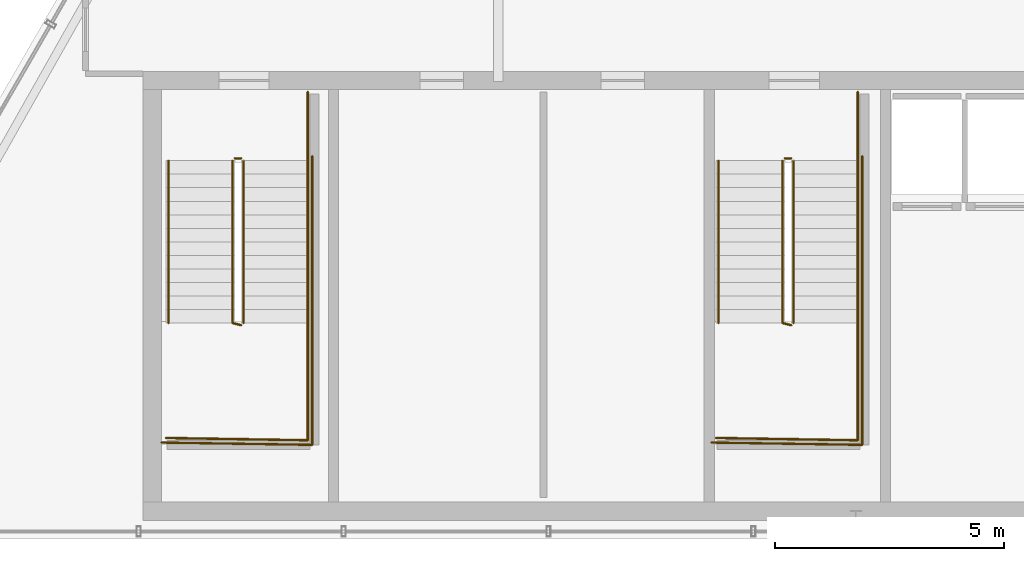
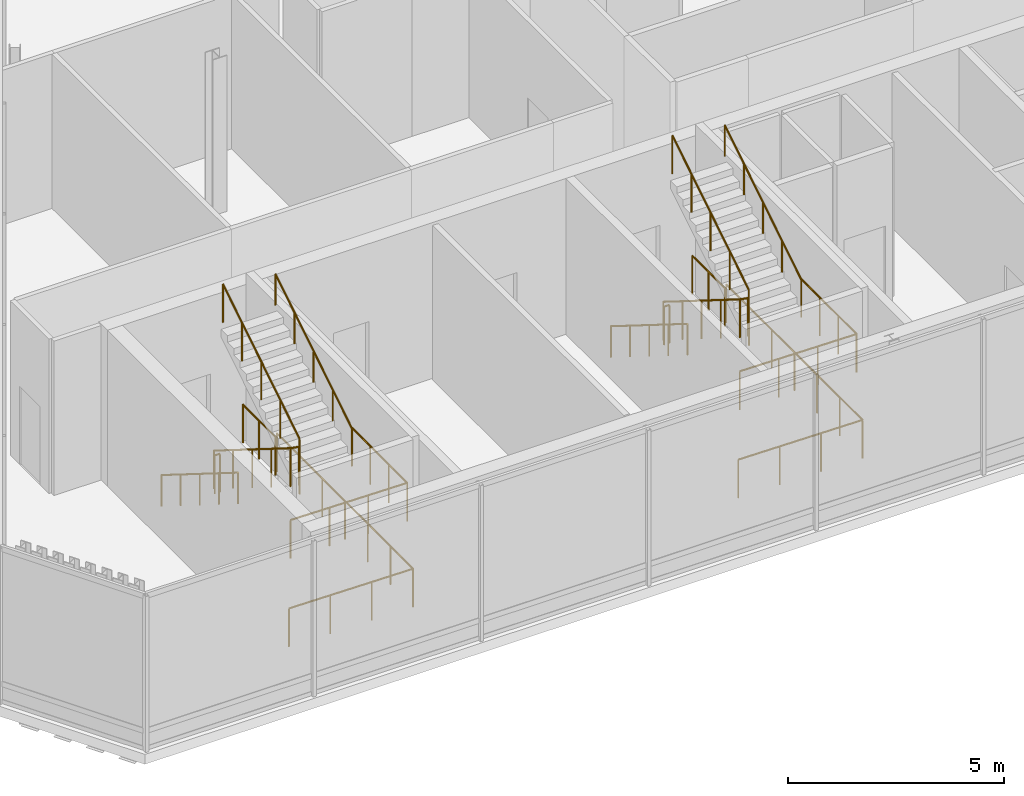
# One storey, part 23 of 25: 16 railings.
"""IFC4 building model written with IfcOpenShell, lengths in metres."""

import ifcopenshell
import ifcopenshell.guid

model = None  # the IFC model being written
_history = None  # IfcOwnerHistory: only IFC2X3 demands one
_inside = {}  # id of a spatial element -> (the spatial element, [elements in it])
_under = {}  # id of a project, library or spatial element -> (it, [spatial elements below it])
_declared = {}  # id of a project -> (the project, [libraries it declares])
_typed = {}  # id of a type object -> (the type object, [elements of that type])
_made_of = {}  # id of a material, layer set ... -> (it, [elements and type objects made of it])


def new_model(schema):
    """Start an empty IFC model of exactly this schema.

    Asked for "IFC4X3", IfcOpenShell would pick the latest addendum, in which some entities
    have other attributes; the version numbers below select the first issue.
    IFC2X3 requires an IfcOwnerHistory on every rooted entity: one is made here for all.
    """
    global model, _history
    if schema == "IFC4X3":
        model = ifcopenshell.file(schema_version=(4, 3, 0, 0))
    else:
        model = ifcopenshell.file(schema=schema)
    _inside.clear()
    _under.clear()
    _declared.clear()
    _typed.clear()
    _made_of.clear()
    _history = None
    if model.schema == "IFC2X3":
        org = make("IfcOrganization", Name="unknown")
        user = make(
            "IfcPersonAndOrganization",
            ThePerson=make("IfcPerson", FamilyName="unknown"),
            TheOrganization=org,
        )
        app = make(
            "IfcApplication",
            ApplicationDeveloper=org,
            Version="unknown",
            ApplicationFullName="unknown",
            ApplicationIdentifier="unknown",
        )
        _history = make(
            "IfcOwnerHistory",
            OwningUser=user,
            OwningApplication=app,
            ChangeAction="ADDED",
            CreationDate=0,
        )
    return model


def make(cls, **values):
    """One entity of the class cls with the attributes given. An attribute that is None is left unset."""
    return model.create_entity(
        cls, **{name: value for name, value in values.items() if value is not None}
    )


def rooted(cls, **values):
    """An entity with a GlobalId (a new one), such as an element, a storey or a relation."""
    return make(cls, GlobalId=ifcopenshell.guid.new(), OwnerHistory=_history, **values)


def si_unit(unit_type, name, prefix=None):
    """IfcSIUnit, for example si_unit("LENGTHUNIT", "METRE", prefix="MILLI")."""
    return make("IfcSIUnit", UnitType=unit_type, Prefix=prefix, Name=name)


def assignment(units):
    """IfcUnitAssignment: the units of a project."""
    return None if units is None else make("IfcUnitAssignment", Units=units)


def point(xyz):
    """IfcCartesianPoint."""
    return None if xyz is None else make("IfcCartesianPoint", Coordinates=xyz)


def direction(xyz):
    """IfcDirection."""
    return None if xyz is None else make("IfcDirection", DirectionRatios=xyz)


def frame(location, z_axis=None, x_axis=None):
    """IfcAxis2Placement3D, a coordinate frame: its origin and axes. An axis left out is left unset."""
    return make(
        "IfcAxis2Placement3D",
        Location=point(location),
        Axis=direction(z_axis),
        RefDirection=direction(x_axis),
    )


def frame_2d(location, x_axis=None):
    """IfcAxis2Placement2D, a coordinate frame in the plane: its origin and x axis."""
    return make(
        "IfcAxis2Placement2D", Location=point(location), RefDirection=direction(x_axis)
    )


def origin():
    """The frame at (0, 0, 0) with its axes left unset."""
    return frame((0.0, 0.0, 0.0))


def origin_2d():
    """The frame at (0, 0) in the plane with its x axis left unset."""
    return frame_2d((0.0, 0.0))


def place(relative_to, where):
    """IfcLocalPlacement: puts the frame where relative to a parent placement (None: the world)."""
    return make(
        "IfcLocalPlacement", PlacementRelTo=relative_to, RelativePlacement=where
    )


def context(
    kind, dimensions, precision=None, world=None, true_north=None, identifier=None
):
    """IfcGeometricRepresentationContext, for example the 3D "Model" context."""
    return make(
        "IfcGeometricRepresentationContext",
        ContextIdentifier=identifier,
        ContextType=kind,
        CoordinateSpaceDimension=dimensions,
        Precision=precision,
        WorldCoordinateSystem=world,
        TrueNorth=true_north,
    )


def subcontext(parent, identifier, kind, view, scale=None):
    """IfcGeometricRepresentationSubContext, for example "Body" below "Model"."""
    return make(
        "IfcGeometricRepresentationSubContext",
        ContextIdentifier=identifier,
        ContextType=kind,
        ParentContext=parent,
        TargetScale=scale,
        TargetView=view,
    )


def project(units=None, contexts=None):
    """IfcProject with its units and contexts."""
    return rooted(
        "IfcProject",
        Name="project",
        RepresentationContexts=contexts,
        UnitsInContext=assignment(units),
    )


def spatial(cls, under=None, at=None, **own):
    """A site, building, storey or space (cls), placed at a placement, below another one or the project."""
    s = rooted(cls, ObjectPlacement=at, **own)
    if under is not None:
        _under.setdefault(under.id(), (under, []))[1].append(s)
    return s


def profile(cls, at=None, kind="AREA", **sizes):
    """A parametric profile (cls). Its sizes go by their IFC names, for example OverallWidth=200.0."""
    return make(cls, ProfileType=kind, Position=at, **sizes)


def circle(**sizes):
    """IfcCircleProfileDef."""
    return profile("IfcCircleProfileDef", **sizes)


def extrude(swept, where, along, depth):
    """IfcExtrudedAreaSolid: the profile swept, set in the frame where, extruded along a direction by depth."""
    return make(
        "IfcExtrudedAreaSolid",
        SweptArea=swept,
        Position=where,
        ExtrudedDirection=direction(along),
        Depth=depth,
    )


def shape(context_of_items, identifier, shape_type, items):
    """IfcShapeRepresentation: the items that make up one representation, for example the "Body"."""
    return make(
        "IfcShapeRepresentation",
        ContextOfItems=context_of_items,
        RepresentationIdentifier=identifier,
        RepresentationType=shape_type,
        Items=items,
    )


def material(Name=None, Category=None):
    """IfcMaterial."""
    return make("IfcMaterial", Name=Name, Category=Category)


def layer(
    of_material, thickness, ventilated=None, Name=None, Category=None, Priority=None
):
    """IfcMaterialLayer: one layer of a wall or slab, of a material (None: an air gap)."""
    return make(
        "IfcMaterialLayer",
        Material=of_material,
        LayerThickness=thickness,
        IsVentilated=ventilated,
        Name=Name,
        Category=Category,
        Priority=Priority,
    )


def layer_set(layers, Name=None):
    """IfcMaterialLayerSet."""
    return make("IfcMaterialLayerSet", MaterialLayers=layers, LayerSetName=Name)


def made_of(thing, what):
    """Note that an element or type object is made of a material, layer set ...; save() writes the relation."""
    if what is not None:
        _made_of.setdefault(what.id(), (what, []))[1].append(thing)
    return thing


def type_object(cls, material=None, **own):
    """A type object (cls), such as IfcWallType, which elements share."""
    return made_of(rooted(cls, **own), material)


def element(
    cls,
    number,
    at=None,
    inside=None,
    cuts=None,
    type_object=None,
    material=None,
    context=None,
    identifier="Body",
    shape_type=None,
    held_by="IfcProductDefinitionShape",
    body=None,
    shapes=None,
    **own,
):
    """One element of the class cls, such as IfcWall. Its Tag is "e" and its number.

    at: its placement. inside: the storey or other place that contains it. cuts: it is an
    opening in that element (IfcRelVoidsElement). A single representation is given by context,
    identifier, shape_type and body (its items); several are given by shapes. held_by: the class
    of the entity that holds the representations. save() writes the other relations.
    """
    e = rooted(cls, Tag="e%d" % number, ObjectPlacement=at, **own)
    if body is not None:
        shapes = [shape(context, identifier, shape_type, body)]
    if shapes is not None:
        e.Representation = make(held_by, Representations=shapes)
    if inside is not None:
        _inside.setdefault(inside.id(), (inside, []))[1].append(e)
    if cuts is not None:
        rooted(
            "IfcRelVoidsElement", RelatingBuildingElement=cuts, RelatedOpeningElement=e
        )
    if type_object is not None:
        _typed.setdefault(type_object.id(), (type_object, []))[1].append(e)
    return made_of(e, material)


def aggregate(whole, parts):
    """IfcRelAggregates: a whole, such as a stair, and the parts it consists of."""
    return rooted("IfcRelAggregates", RelatingObject=whole, RelatedObjects=parts)


def save(model, path):
    """Write the relations noted so far, then the file.

    IfcRelAggregates (storeys below a building ...), IfcRelContainedInSpatialStructure (elements
    in a storey), IfcRelDefinesByType, IfcRelAssociatesMaterial and IfcRelDeclares: one each for
    every whole, place, type object, material and project.
    """
    for whole, parts in _under.values():
        aggregate(whole, parts)
    for where, things in _inside.values():
        rooted(
            "IfcRelContainedInSpatialStructure",
            RelatedElements=things,
            RelatingStructure=where,
        )
    for kind, things in _typed.values():
        rooted("IfcRelDefinesByType", RelatedObjects=things, RelatingType=kind)
    for what, things in _made_of.values():
        rooted("IfcRelAssociatesMaterial", RelatedObjects=things, RelatingMaterial=what)
    for by, libraries in _declared.values():
        rooted("IfcRelDeclares", RelatingContext=by, RelatedDefinitions=libraries)
    model.write(path)


model = new_model("IFC4")

# Units and contexts
model_context = context("Model", 3, precision=1e-05, world=origin(), true_north=direction((0.0, 1.0)))
body_context = subcontext(model_context, "Body", "Model", "MODEL_VIEW")
ifc_project = project(units=[si_unit("LENGTHUNIT", "METRE"), si_unit("AREAUNIT", "SQUARE_METRE"), si_unit("VOLUMEUNIT", "CUBIC_METRE"), si_unit("PLANEANGLEUNIT", "RADIAN"), si_unit("MASSUNIT", "GRAM", prefix="KILO")], contexts=[model_context])

# Site, building, storey
site_placement = place(None, origin())
site = spatial("IfcSite", under=ifc_project, at=site_placement, CompositionType="ELEMENT")
building_placement = place(site_placement, origin())
building = spatial("IfcBuilding", under=site, at=building_placement, Name="Ndaravel Arena Tower", CompositionType="ELEMENT")
storey_placement = place(building_placement, frame((0.0, 0.0, 303.300048828125)))
storey = spatial("IfcBuildingStorey", under=building, at=storey_placement, Name="L74", CompositionType="ELEMENT", Elevation=303.300048828125)

# Railings
ifc_material_1 = material(Name="Steel S355", Category="steel")
ifc_layer_1 = layer(ifc_material_1, 0.06005859375)
ifc_layer_set_1 = layer_set([ifc_layer_1], Name="Steel S355")
railing_type_1 = type_object("IfcRailingType", Name="RAIL-STAIR-GD1100", PredefinedType="GUARDRAIL", material=ifc_layer_set_1)
railing_1_placement = place(storey_placement, frame((28.39990234375, 13.25, 0.1845703125)))
element("IfcRailing", 1, at=railing_1_placement, inside=storey, type_object=railing_type_1, Name="L74 ST-1 stair guard 1", PredefinedType="GUARDRAIL", context=body_context, shape_type="SweptSolid", body=[
    extrude(circle(Radius=0.02392578125, at=origin_2d()), frame((0.0, 0.0, 1.076171875), z_axis=(0.0, -0.847696004112, 0.530482313194), x_axis=(1.0, 0.0, 0.0)), (0.0, 0.0, 1.0), 4.176025390625),
    extrude(circle(Radius=0.02392578125, at=origin_2d()), frame((0.0, -3.5400390625, 3.29150390625), z_axis=(0.967074537263, -0.25449329928, 0.0), x_axis=(0.25449329928, 0.967074537263, 0.0)), (0.0, 0.0, 1.0), 0.19677734375),
    extrude(circle(Radius=0.02099609375, at=origin_2d()), origin(), (0.0, 0.0, 1.0), 1.052001953125),
    extrude(circle(Radius=0.02099609375, at=origin_2d()), frame((0.0, -0.885009765625, 0.5537109375)), (0.0, 0.0, 1.0), 1.052001953125),
    extrude(circle(Radius=0.02099609375, at=origin_2d()), frame((0.0, -1.77001953125, 1.107666015625)), (0.0, 0.0, 1.0), 1.052001953125),
    extrude(circle(Radius=0.02099609375, at=origin_2d()), frame((0.0, -2.655029296875, 1.66162109375)), (0.0, 0.0, 1.0), 1.052001953125),
    extrude(circle(Radius=0.02099609375, at=origin_2d()), frame((0.0, -3.5400390625, 2.21533203125)), (0.0, 0.0, 1.0), 1.052001953125),
    extrude(circle(Radius=0.02099609375, at=origin_2d()), frame((0.190185546875, -3.590087890625, 2.21533203125)), (0.0, 0.0, 1.0), 1.052001953125),
])
railing_2_placement = place(storey_placement, frame((30.0400390625, 9.7099609375, 2.39990234375)))
element("IfcRailing", 2, at=railing_2_placement, inside=storey, type_object=railing_type_1, Name="L74 ST-1 stair guard 2", PredefinedType="GUARDRAIL", context=body_context, shape_type="SweptSolid", body=[
    extrude(circle(Radius=0.02392578125, at=origin_2d()), frame((0.0, 0.0, 1.076171875), z_axis=(0.0, -1.0, 0.0), x_axis=(1.0, 0.0, 0.0)), (0.0, 0.0, 1.0), 2.56005859375),
    extrude(circle(Radius=0.02392578125, at=origin_2d()), frame((0.0, -2.56005859375, 1.076171875), z_axis=(-0.999868861343, 0.016194447071, 0.0), x_axis=(-0.016194447071, -0.999868861343, 0.0)), (0.0, 0.0, 1.0), 3.090576171875),
    extrude(circle(Radius=0.02099609375, at=origin_2d()), origin(), (0.0, 0.0, 1.0), 1.052001953125),
    extrude(circle(Radius=0.02099609375, at=origin_2d()), frame((0.0, -0.853271484375, 0.0)), (0.0, 0.0, 1.0), 1.052001953125),
    extrude(circle(Radius=0.02099609375, at=origin_2d()), frame((0.0, -1.706787109375, 0.0)), (0.0, 0.0, 1.0), 1.052001953125),
    extrude(circle(Radius=0.02099609375, at=origin_2d()), frame((0.0, -2.56005859375, 0.0)), (0.0, 0.0, 1.0), 1.052001953125),
    extrude(circle(Radius=0.02099609375, at=origin_2d()), frame((-1.030029296875, -2.54345703125, 0.0)), (0.0, 0.0, 1.0), 1.052001953125),
    extrude(circle(Radius=0.02099609375, at=origin_2d()), frame((-2.06005859375, -2.526611328125, 0.0)), (0.0, 0.0, 1.0), 1.052001953125),
    extrude(circle(Radius=0.02099609375, at=origin_2d()), frame((-3.090087890625, -2.510009765625, 0.0)), (0.0, 0.0, 1.0), 1.052001953125),
])
railing_3_placement = place(storey_placement, frame((28.639892578125, 9.7099609375, 2.58447265625)))
element("IfcRailing", 3, at=railing_3_placement, inside=storey, type_object=railing_type_1, Name="L74 ST-1 stair guard 3", PredefinedType="GUARDRAIL", context=body_context, shape_type="SweptSolid", body=[
    extrude(circle(Radius=0.02392578125, at=origin_2d()), frame((0.0, 0.0, 1.076171875), z_axis=(0.0, 0.847669714335, 0.530524321213), x_axis=(-1.0, 0.0, 0.0)), (0.0, 0.0, 1.0), 4.17626953125),
    extrude(circle(Radius=0.02099609375, at=origin_2d()), origin(), (0.0, 0.0, 1.0), 1.052001953125),
    extrude(circle(Radius=0.02099609375, at=origin_2d()), frame((0.0, 0.885009765625, 0.553955078125)), (0.0, 0.0, 1.0), 1.052001953125),
    extrude(circle(Radius=0.02099609375, at=origin_2d()), frame((0.0, 1.77001953125, 1.10791015625)), (0.0, 0.0, 1.0), 1.052001953125),
    extrude(circle(Radius=0.02099609375, at=origin_2d()), frame((0.0, 2.655029296875, 1.66162109375)), (0.0, 0.0, 1.0), 1.052001953125),
    extrude(circle(Radius=0.02099609375, at=origin_2d()), frame((0.0, 3.5400390625, 2.215576171875)), (0.0, 0.0, 1.0), 1.052001953125),
])
railing_4_placement = place(storey_placement, frame((28.449951171875, 13.300048828125, 0.0)))
element("IfcRailing", 4, at=railing_4_placement, inside=storey, type_object=railing_type_1, Name="L74 ST-1 stair guard 4", PredefinedType="GUARDRAIL", context=body_context, shape_type="SweptSolid", body=[
    extrude(circle(Radius=0.02392578125, at=origin_2d()), frame((0.0, 0.0, 1.076171875), z_axis=(1.0, 0.0, 0.0), x_axis=(0.0, 1.0, 0.0)), (0.0, 0.0, 1.0), 0.14013671875),
    extrude(circle(Radius=0.02099609375, at=origin_2d()), origin(), (0.0, 0.0, 1.0), 1.052001953125),
    extrude(circle(Radius=0.02099609375, at=origin_2d()), frame((0.14013671875, 0.0, 0.0)), (0.0, 0.0, 1.0), 1.052001953125),
])
railing_5_placement = place(storey_placement, frame((30.0400390625, 14.75, 0.0)))
element("IfcRailing", 5, at=railing_5_placement, inside=storey, type_object=railing_type_1, Name="L74 ST-1 stair guard 5", PredefinedType="GUARDRAIL", context=body_context, shape_type="SweptSolid", body=[
    extrude(circle(Radius=0.02392578125, at=origin_2d()), frame((0.0, 0.0, 1.076171875), z_axis=(0.0, -1.0, 0.0), x_axis=(1.0, 0.0, 0.0)), (0.0, 0.0, 1.0), 1.5),
    extrude(circle(Radius=0.02099609375, at=origin_2d()), origin(), (0.0, 0.0, 1.0), 1.052001953125),
    extrude(circle(Radius=0.02099609375, at=origin_2d()), frame((0.0, -0.75, 0.0)), (0.0, 0.0, 1.0), 1.052001953125),
    extrude(circle(Radius=0.02099609375, at=origin_2d()), frame((0.0, -1.5, 0.0)), (0.0, 0.0, 1.0), 1.052001953125),
])
railing_6_placement = place(storey_placement, frame((30.139892578125, 13.35009765625, 0.0)))
element("IfcRailing", 6, at=railing_6_placement, inside=storey, type_object=railing_type_1, Name="L74 ST-1 stair guard 6", PredefinedType="GUARDRAIL", context=body_context, shape_type="SweptSolid", body=[
    extrude(circle(Radius=0.02392578125, at=origin_2d()), frame((0.0, 0.0, 1.076171875), z_axis=(0.0, -1.0, 0.0), x_axis=(1.0, 0.0, 0.0)), (0.0, 0.0, 1.0), 6.300048828125),
    extrude(circle(Radius=0.02392578125, at=origin_2d()), frame((0.0, -6.300048828125, 1.076171875), z_axis=(-0.999884296952, 0.015211597839, 0.0), x_axis=(-0.015211597839, -0.999884296952, 0.0)), (0.0, 0.0, 1.0), 3.290283203125),
    extrude(circle(Radius=0.02099609375, at=origin_2d()), origin(), (0.0, 0.0, 1.0), 1.052001953125),
    extrude(circle(Radius=0.02099609375, at=origin_2d()), frame((0.0, -1.050048828125, 0.0)), (0.0, 0.0, 1.0), 1.052001953125),
    extrude(circle(Radius=0.02099609375, at=origin_2d()), frame((0.0, -2.10009765625, 0.0)), (0.0, 0.0, 1.0), 1.052001953125),
    extrude(circle(Radius=0.02099609375, at=origin_2d()), frame((0.0, -3.14990234375, 0.0)), (0.0, 0.0, 1.0), 1.052001953125),
    extrude(circle(Radius=0.02099609375, at=origin_2d()), frame((0.0, -4.199951171875, 0.0)), (0.0, 0.0, 1.0), 1.052001953125),
    extrude(circle(Radius=0.02099609375, at=origin_2d()), frame((0.0, -5.25, 0.0)), (0.0, 0.0, 1.0), 1.052001953125),
    extrude(circle(Radius=0.02099609375, at=origin_2d()), frame((0.0, -6.300048828125, 0.0)), (0.0, 0.0, 1.0), 1.052001953125),
    extrude(circle(Radius=0.02099609375, at=origin_2d()), frame((-1.0966796875, -6.283447265625, 0.0)), (0.0, 0.0, 1.0), 1.052001953125),
    extrude(circle(Radius=0.02099609375, at=origin_2d()), frame((-2.193115234375, -6.2666015625, 0.0)), (0.0, 0.0, 1.0), 1.052001953125),
    extrude(circle(Radius=0.02099609375, at=origin_2d()), frame((-3.289794921875, -6.25, 0.0)), (0.0, 0.0, 1.0), 1.052001953125),
])
railing_7_placement = place(storey_placement, frame((40.39990234375, 13.25, 0.1845703125)))
element("IfcRailing", 7, at=railing_7_placement, inside=storey, type_object=railing_type_1, Name="L74 ST-2 stair guard 1", PredefinedType="GUARDRAIL", context=body_context, shape_type="SweptSolid", body=[
    extrude(circle(Radius=0.02392578125, at=origin_2d()), frame((0.0, 0.0, 1.076171875), z_axis=(0.0, -0.847696004112, 0.530482313194), x_axis=(1.0, 0.0, 0.0)), (0.0, 0.0, 1.0), 4.176025390625),
    extrude(circle(Radius=0.02392578125, at=origin_2d()), frame((0.0, -3.5400390625, 3.29150390625), z_axis=(0.967074537263, -0.25449329928, 0.0), x_axis=(0.25449329928, 0.967074537263, 0.0)), (0.0, 0.0, 1.0), 0.19677734375),
    extrude(circle(Radius=0.02099609375, at=origin_2d()), origin(), (0.0, 0.0, 1.0), 1.052001953125),
    extrude(circle(Radius=0.02099609375, at=origin_2d()), frame((0.0, -0.885009765625, 0.5537109375)), (0.0, 0.0, 1.0), 1.052001953125),
    extrude(circle(Radius=0.02099609375, at=origin_2d()), frame((0.0, -1.77001953125, 1.107666015625)), (0.0, 0.0, 1.0), 1.052001953125),
    extrude(circle(Radius=0.02099609375, at=origin_2d()), frame((0.0, -2.655029296875, 1.66162109375)), (0.0, 0.0, 1.0), 1.052001953125),
    extrude(circle(Radius=0.02099609375, at=origin_2d()), frame((0.0, -3.5400390625, 2.21533203125)), (0.0, 0.0, 1.0), 1.052001953125),
    extrude(circle(Radius=0.02099609375, at=origin_2d()), frame((0.190185546875, -3.590087890625, 2.21533203125)), (0.0, 0.0, 1.0), 1.052001953125),
])
railing_8_placement = place(storey_placement, frame((42.0400390625, 9.7099609375, 2.39990234375)))
element("IfcRailing", 8, at=railing_8_placement, inside=storey, type_object=railing_type_1, Name="L74 ST-2 stair guard 2", PredefinedType="GUARDRAIL", context=body_context, shape_type="SweptSolid", body=[
    extrude(circle(Radius=0.02392578125, at=origin_2d()), frame((0.0, 0.0, 1.076171875), z_axis=(0.0, -1.0, 0.0), x_axis=(1.0, 0.0, 0.0)), (0.0, 0.0, 1.0), 2.56005859375),
    extrude(circle(Radius=0.02392578125, at=origin_2d()), frame((0.0, -2.56005859375, 1.076171875), z_axis=(-0.999868861343, 0.016194447071, 0.0), x_axis=(-0.016194447071, -0.999868861343, 0.0)), (0.0, 0.0, 1.0), 3.090576171875),
    extrude(circle(Radius=0.02099609375, at=origin_2d()), origin(), (0.0, 0.0, 1.0), 1.052001953125),
    extrude(circle(Radius=0.02099609375, at=origin_2d()), frame((0.0, -0.853271484375, 0.0)), (0.0, 0.0, 1.0), 1.052001953125),
    extrude(circle(Radius=0.02099609375, at=origin_2d()), frame((0.0, -1.706787109375, 0.0)), (0.0, 0.0, 1.0), 1.052001953125),
    extrude(circle(Radius=0.02099609375, at=origin_2d()), frame((0.0, -2.56005859375, 0.0)), (0.0, 0.0, 1.0), 1.052001953125),
    extrude(circle(Radius=0.02099609375, at=origin_2d()), frame((-1.030029296875, -2.54345703125, 0.0)), (0.0, 0.0, 1.0), 1.052001953125),
    extrude(circle(Radius=0.02099609375, at=origin_2d()), frame((-2.06005859375, -2.526611328125, 0.0)), (0.0, 0.0, 1.0), 1.052001953125),
    extrude(circle(Radius=0.02099609375, at=origin_2d()), frame((-3.090087890625, -2.510009765625, 0.0)), (0.0, 0.0, 1.0), 1.052001953125),
])
railing_9_placement = place(storey_placement, frame((40.639892578125, 9.7099609375, 2.58447265625)))
element("IfcRailing", 9, at=railing_9_placement, inside=storey, type_object=railing_type_1, Name="L74 ST-2 stair guard 3", PredefinedType="GUARDRAIL", context=body_context, shape_type="SweptSolid", body=[
    extrude(circle(Radius=0.02392578125, at=origin_2d()), frame((0.0, 0.0, 1.076171875), z_axis=(0.0, 0.847669714335, 0.530524321213), x_axis=(-1.0, 0.0, 0.0)), (0.0, 0.0, 1.0), 4.17626953125),
    extrude(circle(Radius=0.02099609375, at=origin_2d()), origin(), (0.0, 0.0, 1.0), 1.052001953125),
    extrude(circle(Radius=0.02099609375, at=origin_2d()), frame((0.0, 0.885009765625, 0.553955078125)), (0.0, 0.0, 1.0), 1.052001953125),
    extrude(circle(Radius=0.02099609375, at=origin_2d()), frame((0.0, 1.77001953125, 1.10791015625)), (0.0, 0.0, 1.0), 1.052001953125),
    extrude(circle(Radius=0.02099609375, at=origin_2d()), frame((0.0, 2.655029296875, 1.66162109375)), (0.0, 0.0, 1.0), 1.052001953125),
    extrude(circle(Radius=0.02099609375, at=origin_2d()), frame((0.0, 3.5400390625, 2.215576171875)), (0.0, 0.0, 1.0), 1.052001953125),
])
railing_10_placement = place(storey_placement, frame((40.449951171875, 13.300048828125, 0.0)))
element("IfcRailing", 10, at=railing_10_placement, inside=storey, type_object=railing_type_1, Name="L74 ST-2 stair guard 4", PredefinedType="GUARDRAIL", context=body_context, shape_type="SweptSolid", body=[
    extrude(circle(Radius=0.02392578125, at=origin_2d()), frame((0.0, 0.0, 1.076171875), z_axis=(1.0, 0.0, 0.0), x_axis=(0.0, 1.0, 0.0)), (0.0, 0.0, 1.0), 0.14013671875),
    extrude(circle(Radius=0.02099609375, at=origin_2d()), origin(), (0.0, 0.0, 1.0), 1.052001953125),
    extrude(circle(Radius=0.02099609375, at=origin_2d()), frame((0.14013671875, 0.0, 0.0)), (0.0, 0.0, 1.0), 1.052001953125),
])
railing_11_placement = place(storey_placement, frame((42.0400390625, 14.75, 0.0)))
element("IfcRailing", 11, at=railing_11_placement, inside=storey, type_object=railing_type_1, Name="L74 ST-2 stair guard 5", PredefinedType="GUARDRAIL", context=body_context, shape_type="SweptSolid", body=[
    extrude(circle(Radius=0.02392578125, at=origin_2d()), frame((0.0, 0.0, 1.076171875), z_axis=(0.0, -1.0, 0.0), x_axis=(1.0, 0.0, 0.0)), (0.0, 0.0, 1.0), 1.5),
    extrude(circle(Radius=0.02099609375, at=origin_2d()), origin(), (0.0, 0.0, 1.0), 1.052001953125),
    extrude(circle(Radius=0.02099609375, at=origin_2d()), frame((0.0, -0.75, 0.0)), (0.0, 0.0, 1.0), 1.052001953125),
    extrude(circle(Radius=0.02099609375, at=origin_2d()), frame((0.0, -1.5, 0.0)), (0.0, 0.0, 1.0), 1.052001953125),
])
railing_12_placement = place(storey_placement, frame((42.139892578125, 13.35009765625, 0.0)))
element("IfcRailing", 12, at=railing_12_placement, inside=storey, type_object=railing_type_1, Name="L74 ST-2 stair guard 6", PredefinedType="GUARDRAIL", context=body_context, shape_type="SweptSolid", body=[
    extrude(circle(Radius=0.02392578125, at=origin_2d()), frame((0.0, 0.0, 1.076171875), z_axis=(0.0, -1.0, 0.0), x_axis=(1.0, 0.0, 0.0)), (0.0, 0.0, 1.0), 6.300048828125),
    extrude(circle(Radius=0.02392578125, at=origin_2d()), frame((0.0, -6.300048828125, 1.076171875), z_axis=(-0.999884296952, 0.015211597839, 0.0), x_axis=(-0.015211597839, -0.999884296952, 0.0)), (0.0, 0.0, 1.0), 3.290283203125),
    extrude(circle(Radius=0.02099609375, at=origin_2d()), origin(), (0.0, 0.0, 1.0), 1.052001953125),
    extrude(circle(Radius=0.02099609375, at=origin_2d()), frame((0.0, -1.050048828125, 0.0)), (0.0, 0.0, 1.0), 1.052001953125),
    extrude(circle(Radius=0.02099609375, at=origin_2d()), frame((0.0, -2.10009765625, 0.0)), (0.0, 0.0, 1.0), 1.052001953125),
    extrude(circle(Radius=0.02099609375, at=origin_2d()), frame((0.0, -3.14990234375, 0.0)), (0.0, 0.0, 1.0), 1.052001953125),
    extrude(circle(Radius=0.02099609375, at=origin_2d()), frame((0.0, -4.199951171875, 0.0)), (0.0, 0.0, 1.0), 1.052001953125),
    extrude(circle(Radius=0.02099609375, at=origin_2d()), frame((0.0, -5.25, 0.0)), (0.0, 0.0, 1.0), 1.052001953125),
    extrude(circle(Radius=0.02099609375, at=origin_2d()), frame((0.0, -6.300048828125, 0.0)), (0.0, 0.0, 1.0), 1.052001953125),
    extrude(circle(Radius=0.02099609375, at=origin_2d()), frame((-1.0966796875, -6.283447265625, 0.0)), (0.0, 0.0, 1.0), 1.052001953125),
    extrude(circle(Radius=0.02099609375, at=origin_2d()), frame((-2.193115234375, -6.2666015625, 0.0)), (0.0, 0.0, 1.0), 1.052001953125),
    extrude(circle(Radius=0.02099609375, at=origin_2d()), frame((-3.289794921875, -6.25, 0.0)), (0.0, 0.0, 1.0), 1.052001953125),
])
ifc_material_2 = material(Name="Steel S355", Category="steel")
ifc_layer_2 = layer(ifc_material_2, 0.050048828125)
ifc_layer_set_2 = layer_set([ifc_layer_2], Name="Steel S355")
railing_type_2 = type_object("IfcRailingType", Name="RAIL-STAIR-HR920", PredefinedType="HANDRAIL", material=ifc_layer_set_2)
railing_13_placement = place(storey_placement, frame((27.0, 13.25, 0.1845703125)))
element("IfcRailing", 13, at=railing_13_placement, inside=storey, type_object=railing_type_2, Name="L74 ST-1 stair handrail 1", PredefinedType="HANDRAIL", context=body_context, shape_type="SweptSolid", body=[
    extrude(circle(Radius=0.02392578125, at=origin_2d()), frame((0.0, 0.0, 0.8759765625), z_axis=(0.0, -0.847696004112, 0.530482313194), x_axis=(1.0, 0.0, 0.0)), (0.0, 0.0, 1.0), 4.176025390625),
    extrude(circle(Radius=0.02099609375, at=origin_2d()), origin(), (0.0, 0.0, 1.0), 0.851806640625),
    extrude(circle(Radius=0.02099609375, at=origin_2d()), frame((0.0, -0.885009765625, 0.5537109375)), (0.0, 0.0, 1.0), 0.851806640625),
    extrude(circle(Radius=0.02099609375, at=origin_2d()), frame((0.0, -1.77001953125, 1.107666015625)), (0.0, 0.0, 1.0), 0.851806640625),
    extrude(circle(Radius=0.02099609375, at=origin_2d()), frame((0.0, -2.655029296875, 1.66162109375)), (0.0, 0.0, 1.0), 0.851806640625),
    extrude(circle(Radius=0.02099609375, at=origin_2d()), frame((0.0, -3.5400390625, 2.21533203125)), (0.0, 0.0, 1.0), 0.851806640625),
])
railing_14_placement = place(storey_placement, frame((30.0400390625, 9.7099609375, 2.58447265625)))
element("IfcRailing", 14, at=railing_14_placement, inside=storey, type_object=railing_type_2, Name="L74 ST-1 stair handrail 2", PredefinedType="HANDRAIL", context=body_context, shape_type="SweptSolid", body=[
    extrude(circle(Radius=0.02392578125, at=origin_2d()), frame((0.0, 0.0, 0.8759765625), z_axis=(0.0, 0.847669714335, 0.530524321213), x_axis=(-1.0, 0.0, 0.0)), (0.0, 0.0, 1.0), 4.17626953125),
    extrude(circle(Radius=0.02099609375, at=origin_2d()), origin(), (0.0, 0.0, 1.0), 0.851806640625),
    extrude(circle(Radius=0.02099609375, at=origin_2d()), frame((0.0, 0.885009765625, 0.553955078125)), (0.0, 0.0, 1.0), 0.851806640625),
    extrude(circle(Radius=0.02099609375, at=origin_2d()), frame((0.0, 1.77001953125, 1.10791015625)), (0.0, 0.0, 1.0), 0.851806640625),
    extrude(circle(Radius=0.02099609375, at=origin_2d()), frame((0.0, 2.655029296875, 1.66162109375)), (0.0, 0.0, 1.0), 0.851806640625),
    extrude(circle(Radius=0.02099609375, at=origin_2d()), frame((0.0, 3.5400390625, 2.215576171875)), (0.0, 0.0, 1.0), 0.851806640625),
])
railing_15_placement = place(storey_placement, frame((39.0, 13.25, 0.1845703125)))
element("IfcRailing", 15, at=railing_15_placement, inside=storey, type_object=railing_type_2, Name="L74 ST-2 stair handrail 1", PredefinedType="HANDRAIL", context=body_context, shape_type="SweptSolid", body=[
    extrude(circle(Radius=0.02392578125, at=origin_2d()), frame((0.0, 0.0, 0.8759765625), z_axis=(0.0, -0.847696004112, 0.530482313194), x_axis=(1.0, 0.0, 0.0)), (0.0, 0.0, 1.0), 4.176025390625),
    extrude(circle(Radius=0.02099609375, at=origin_2d()), origin(), (0.0, 0.0, 1.0), 0.851806640625),
    extrude(circle(Radius=0.02099609375, at=origin_2d()), frame((0.0, -0.885009765625, 0.5537109375)), (0.0, 0.0, 1.0), 0.851806640625),
    extrude(circle(Radius=0.02099609375, at=origin_2d()), frame((0.0, -1.77001953125, 1.107666015625)), (0.0, 0.0, 1.0), 0.851806640625),
    extrude(circle(Radius=0.02099609375, at=origin_2d()), frame((0.0, -2.655029296875, 1.66162109375)), (0.0, 0.0, 1.0), 0.851806640625),
    extrude(circle(Radius=0.02099609375, at=origin_2d()), frame((0.0, -3.5400390625, 2.21533203125)), (0.0, 0.0, 1.0), 0.851806640625),
])
railing_16_placement = place(storey_placement, frame((42.0400390625, 9.7099609375, 2.58447265625)))
element("IfcRailing", 16, at=railing_16_placement, inside=storey, type_object=railing_type_2, Name="L74 ST-2 stair handrail 2", PredefinedType="HANDRAIL", context=body_context, shape_type="SweptSolid", body=[
    extrude(circle(Radius=0.02392578125, at=origin_2d()), frame((0.0, 0.0, 0.8759765625), z_axis=(0.0, 0.847669714335, 0.530524321213), x_axis=(-1.0, 0.0, 0.0)), (0.0, 0.0, 1.0), 4.17626953125),
    extrude(circle(Radius=0.02099609375, at=origin_2d()), origin(), (0.0, 0.0, 1.0), 0.851806640625),
    extrude(circle(Radius=0.02099609375, at=origin_2d()), frame((0.0, 0.885009765625, 0.553955078125)), (0.0, 0.0, 1.0), 0.851806640625),
    extrude(circle(Radius=0.02099609375, at=origin_2d()), frame((0.0, 1.77001953125, 1.10791015625)), (0.0, 0.0, 1.0), 0.851806640625),
    extrude(circle(Radius=0.02099609375, at=origin_2d()), frame((0.0, 2.655029296875, 1.66162109375)), (0.0, 0.0, 1.0), 0.851806640625),
    extrude(circle(Radius=0.02099609375, at=origin_2d()), frame((0.0, 3.5400390625, 2.215576171875)), (0.0, 0.0, 1.0), 0.851806640625),
])

save(model, "model.ifc")
